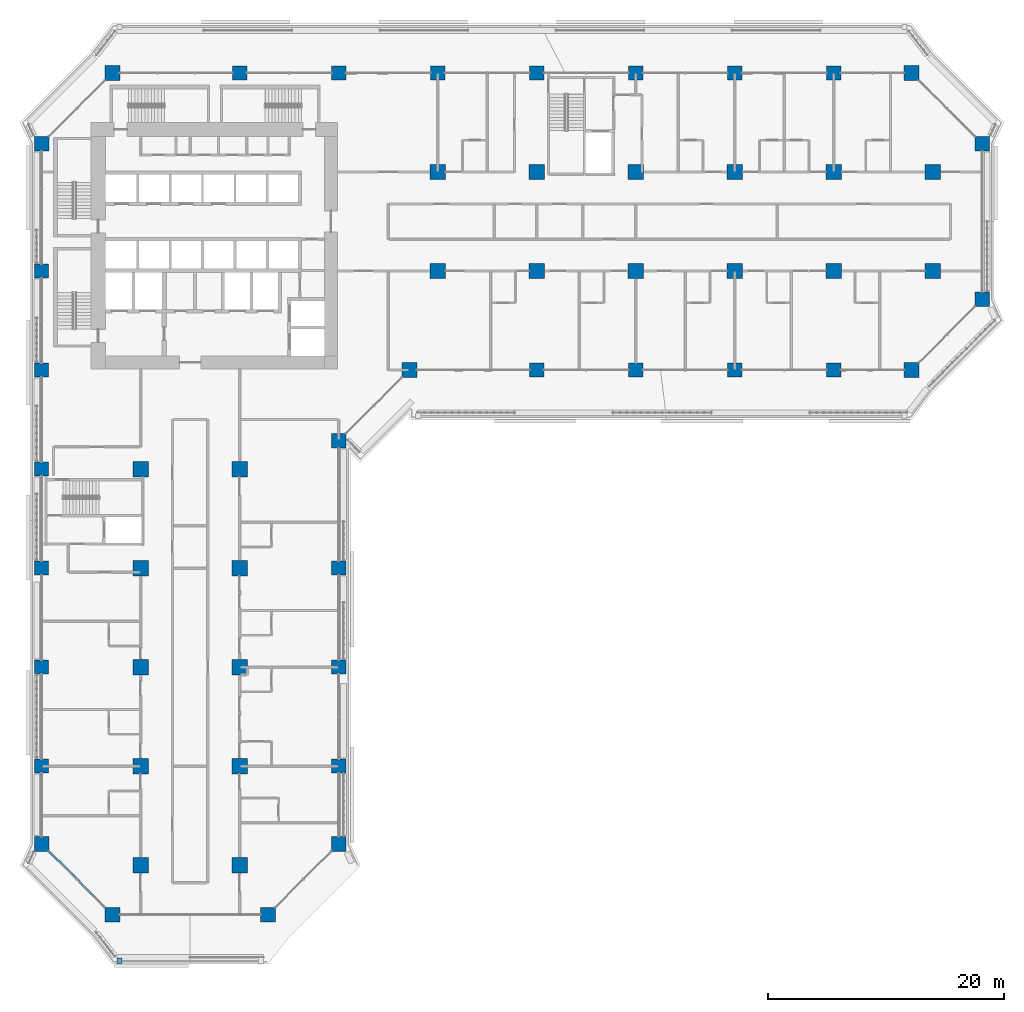
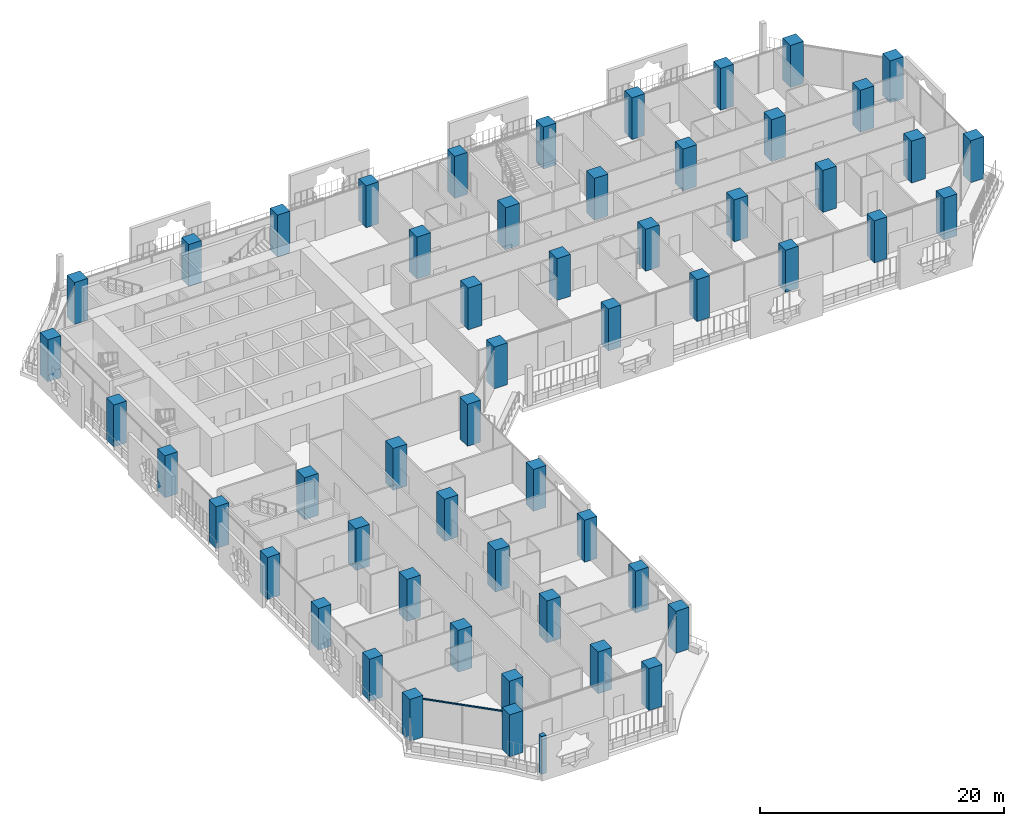
# One storey, part 1 of 28: 54 columns, 2 members, 2 elements without a shape of their own.
"""IFC4 building model written with IfcOpenShell, lengths in metres."""

from ifc_helpers import new_model, si_unit, direction, frame, origin, origin_2d, place, context, subcontext, project, spatial, rectangle, extrude, material, layer, layer_set, material_profile, profile_set, type_object, element, aggregate, save


model = new_model("IFC4")

# Units and contexts
model_context = context("Model", 3, precision=1e-05, world=origin(), true_north=direction((0.0, 1.0)))
body_context = subcontext(model_context, "Body", "Model", "MODEL_VIEW")
ifc_project = project(units=[si_unit("LENGTHUNIT", "METRE"), si_unit("AREAUNIT", "SQUARE_METRE"), si_unit("VOLUMEUNIT", "CUBIC_METRE"), si_unit("PLANEANGLEUNIT", "RADIAN"), si_unit("MASSUNIT", "GRAM", prefix="KILO")], contexts=[model_context])

# Site, building, storey
site_placement = place(None, origin())
site = spatial("IfcSite", under=ifc_project, at=site_placement, CompositionType="ELEMENT")
building_placement = place(site_placement, origin())
building = spatial("IfcBuilding", under=site, at=building_placement, Name="Kawkab Arch Medical Tower", CompositionType="ELEMENT")
storey_placement = place(building_placement, frame((0.0, 0.0, 68.60009765625)))
storey = spatial("IfcBuildingStorey", under=building, at=storey_placement, Name="L15", CompositionType="ELEMENT", Elevation=68.60009765625)

# Columns
ifc_material_1 = material(Name="Concrete C60/75", Category="concrete")
ifc_material_profile_1 = material_profile(ifc_material_1, rectangle(XDim=1.199951171875, YDim=1.199951171875, at=origin_2d()), Name="RC 1200x1200")
ifc_profile_set_1 = profile_set([ifc_material_profile_1], Name="Concrete C60/75")
column_type_1 = type_object("IfcColumnType", Name="RC 1200x1200 column C60/75", PredefinedType="COLUMN", material=ifc_profile_set_1)
for number, where, z_axis, x_axis, name in (
    (1, (16.800048828125, 0.0, 0.0), (0.0, 0.0, 1.0), (1.0, 0.0, 0.0), "Column RC 1200x1200"),
    (2, (25.199951171875, 0.0, 0.0), (0.0, 0.0, 1.0), (1.0, 0.0, 0.0), "Column RC 1200x1200"),
    (3, (33.60009765625, 0.0, 0.0), (0.0, 0.0, 1.0), (1.0, 0.0, 0.0), "Column RC 1200x1200"),
    (4, (42.0, 0.0, 0.0), (0.0, 0.0, 1.0), (1.0, 0.0, 0.0), "Column RC 1200x1200"),
    (5, (50.39990234375, 0.0, 0.0), (0.0, 0.0, 1.0), (1.0, 0.0, 0.0), "Column RC 1200x1200"),
    (6, (58.800048828125, 0.0, 0.0), (0.0, 0.0, 1.0), (1.0, 0.0, 0.0), "Column RC 1200x1200"),
    (7, (67.199951171875, 0.0, 0.0), (0.0, 0.0, 1.0), (1.0, 0.0, 0.0), "Column RC 1200x1200"),
    (8, (0.0, -16.800048828125, 0.0), (0.0, 0.0, 1.0), (1.0, 0.0, 0.0), "Column RC 1200x1200"),
    (9, (0.0, -25.199951171875, 0.0), (0.0, 0.0, 1.0), (1.0, 0.0, 0.0), "Column RC 1200x1200"),
    (10, (42.0, -25.199951171875, 0.0), (0.0, 0.0, 1.0), (1.0, 0.0, 0.0), "Column RC 1200x1200"),
    (11, (50.39990234375, -25.199951171875, 0.0), (0.0, 0.0, 1.0), (1.0, 0.0, 0.0), "Column RC 1200x1200"),
    (12, (58.800048828125, -25.199951171875, 0.0), (0.0, 0.0, 1.0), (1.0, 0.0, 0.0), "Column RC 1200x1200"),
    (13, (67.199951171875, -25.199951171875, 0.0), (0.0, 0.0, 1.0), (1.0, 0.0, 0.0), "Column RC 1200x1200"),
    (14, (0.0, -33.60009765625, 0.0), (0.0, 0.0, 1.0), (1.0, 0.0, 0.0), "Column RC 1200x1200"),
    (15, (0.0, -42.0, 0.0), (0.0, 0.0, 1.0), (1.0, 0.0, 0.0), "Column RC 1200x1200"),
    (16, (25.199951171875, -42.0, 0.0), (0.0, 0.0, 1.0), (1.0, 0.0, 0.0), "Column RC 1200x1200"),
    (17, (0.0, -50.39990234375, 0.0), (0.0, 0.0, 1.0), (1.0, 0.0, 0.0), "Column RC 1200x1200"),
    (18, (25.199951171875, -50.39990234375, 0.0), (0.0, 0.0, 1.0), (1.0, 0.0, 0.0), "Column RC 1200x1200"),
    (19, (0.0, -58.800048828125, 0.0), (0.0, 0.0, 1.0), (1.0, 0.0, 0.0), "Column RC 1200x1200"),
    (20, (25.199951171875, -58.800048828125, 0.0), (0.0, 0.0, 1.0), (1.0, 0.0, 0.0), "Column RC 1200x1200"),
):
    element("IfcColumn", number, at=place(storey_placement, frame(where, z_axis=z_axis, x_axis=x_axis)), inside=storey, type_object=column_type_1, Name=name, PredefinedType="COLUMN", context=body_context, shape_type="SweptSolid", body=[
        extrude(rectangle(XDim=1.199951171875, YDim=1.199951171875, at=origin_2d()), origin(), (0.0, 0.0, 1.0), 4.199951171875),
    ])
ifc_material_2 = material(Name="Concrete C60/75", Category="concrete")
ifc_material_profile_2 = material_profile(ifc_material_2, rectangle(XDim=1.25, YDim=1.25, at=origin_2d()), Name="RC 1250x1250")
ifc_profile_set_2 = profile_set([ifc_material_profile_2], Name="Concrete C60/75")
column_type_2 = type_object("IfcColumnType", Name="RC 1250x1250 column C60/75", PredefinedType="COLUMN", material=ifc_profile_set_2)
for number, where, z_axis, x_axis, name in (
    (21, (6.0, 0.0, 0.0), (0.0, 0.0, 1.0), (1.0, 0.0, 0.0), "Column RC 1250x1250"),
    (22, (73.800048828125, 0.0, 0.0), (0.0, 0.0, 1.0), (1.0, 0.0, 0.0), "Column RC 1250x1250"),
    (23, (0.0, -6.0, 0.0), (0.0, 0.0, 1.0), (1.0, 0.0, 0.0), "Column RC 1250x1250"),
    (24, (79.800048828125, -6.0, 0.0), (0.0, 0.0, 1.0), (1.0, 0.0, 0.0), "Column RC 1250x1250"),
    (25, (79.800048828125, -19.199951171875, 0.0), (0.0, 0.0, 1.0), (1.0, 0.0, 0.0), "Column RC 1250x1250"),
    (26, (31.199951171875, -25.199951171875, 0.0), (0.0, 0.0, 1.0), (1.0, 0.0, 0.0), "Column RC 1250x1250"),
    (27, (73.800048828125, -25.199951171875, 0.0), (0.0, 0.0, 1.0), (1.0, 0.0, 0.0), "Column RC 1250x1250"),
    (28, (25.199951171875, -31.199951171875, 0.0), (0.0, 0.0, 1.0), (1.0, 0.0, 0.0), "Column RC 1250x1250"),
    (29, (0.0, -65.39990234375, 0.0), (0.0, 0.0, 1.0), (1.0, 0.0, 0.0), "Column RC 1250x1250"),
    (30, (25.199951171875, -65.39990234375, 0.0), (0.0, 0.0, 1.0), (1.0, 0.0, 0.0), "Column RC 1250x1250"),
    (31, (6.0, -71.39990234375, 0.0), (0.0, 0.0, 1.0), (1.0, 0.0, 0.0), "Column RC 1250x1250"),
    (32, (19.199951171875, -71.39990234375, 0.0), (0.0, 0.0, 1.0), (1.0, 0.0, 0.0), "Column RC 1250x1250"),
):
    element("IfcColumn", number, at=place(storey_placement, frame(where, z_axis=z_axis, x_axis=x_axis)), inside=storey, type_object=column_type_2, Name=name, PredefinedType="COLUMN", context=body_context, shape_type="SweptSolid", body=[
        extrude(rectangle(XDim=1.25, YDim=1.25, at=origin_2d()), origin(), (0.0, 0.0, 1.0), 4.199951171875),
    ])
ifc_material_3 = material(Name="Concrete C60/75", Category="concrete")
ifc_material_profile_3 = material_profile(ifc_material_3, rectangle(XDim=1.300048828125, YDim=1.300048828125, at=origin_2d()), Name="RC 1300x1300")
ifc_profile_set_3 = profile_set([ifc_material_profile_3], Name="Concrete C60/75")
column_type_3 = type_object("IfcColumnType", Name="RC 1300x1300 column C60/75", PredefinedType="COLUMN", material=ifc_profile_set_3)
for number, where, z_axis, x_axis, name in (
    (33, (33.60009765625, -8.39990234375, 0.0), (0.0, 0.0, 1.0), (1.0, 0.0, 0.0), "Column RC 1300x1300"),
    (34, (42.0, -8.39990234375, 0.0), (0.0, 0.0, 1.0), (1.0, 0.0, 0.0), "Column RC 1300x1300"),
    (35, (50.39990234375, -8.39990234375, 0.0), (0.0, 0.0, 1.0), (1.0, 0.0, 0.0), "Column RC 1300x1300"),
    (36, (58.800048828125, -8.39990234375, 0.0), (0.0, 0.0, 1.0), (1.0, 0.0, 0.0), "Column RC 1300x1300"),
    (37, (67.199951171875, -8.39990234375, 0.0), (0.0, 0.0, 1.0), (1.0, 0.0, 0.0), "Column RC 1300x1300"),
    (38, (75.60009765625, -8.39990234375, 0.0), (0.0, 0.0, 1.0), (1.0, 0.0, 0.0), "Column RC 1300x1300"),
    (39, (33.60009765625, -16.800048828125, 0.0), (0.0, 0.0, 1.0), (1.0, 0.0, 0.0), "Column RC 1300x1300"),
    (40, (42.0, -16.800048828125, 0.0), (0.0, 0.0, 1.0), (1.0, 0.0, 0.0), "Column RC 1300x1300"),
    (41, (50.39990234375, -16.800048828125, 0.0), (0.0, 0.0, 1.0), (1.0, 0.0, 0.0), "Column RC 1300x1300"),
    (42, (58.800048828125, -16.800048828125, 0.0), (0.0, 0.0, 1.0), (1.0, 0.0, 0.0), "Column RC 1300x1300"),
    (43, (67.199951171875, -16.800048828125, 0.0), (0.0, 0.0, 1.0), (1.0, 0.0, 0.0), "Column RC 1300x1300"),
    (44, (75.60009765625, -16.800048828125, 0.0), (0.0, 0.0, 1.0), (1.0, 0.0, 0.0), "Column RC 1300x1300"),
    (45, (8.39990234375, -33.60009765625, 0.0), (0.0, 0.0, 1.0), (1.0, 0.0, 0.0), "Column RC 1300x1300"),
    (46, (16.800048828125, -33.60009765625, 0.0), (0.0, 0.0, 1.0), (1.0, 0.0, 0.0), "Column RC 1300x1300"),
    (47, (8.39990234375, -42.0, 0.0), (0.0, 0.0, 1.0), (1.0, 0.0, 0.0), "Column RC 1300x1300"),
    (48, (16.800048828125, -42.0, 0.0), (0.0, 0.0, 1.0), (1.0, 0.0, 0.0), "Column RC 1300x1300"),
    (49, (8.39990234375, -50.39990234375, 0.0), (0.0, 0.0, 1.0), (1.0, 0.0, 0.0), "Column RC 1300x1300"),
    (50, (16.800048828125, -50.39990234375, 0.0), (0.0, 0.0, 1.0), (1.0, 0.0, 0.0), "Column RC 1300x1300"),
    (51, (8.39990234375, -58.800048828125, 0.0), (0.0, 0.0, 1.0), (1.0, 0.0, 0.0), "Column RC 1300x1300"),
    (52, (16.800048828125, -58.800048828125, 0.0), (0.0, 0.0, 1.0), (1.0, 0.0, 0.0), "Column RC 1300x1300"),
    (53, (8.39990234375, -67.199951171875, 0.0), (0.0, 0.0, 1.0), (1.0, 0.0, 0.0), "Column RC 1300x1300"),
    (54, (16.800048828125, -67.199951171875, 0.0), (0.0, 0.0, 1.0), (1.0, 0.0, 0.0), "Column RC 1300x1300"),
):
    element("IfcColumn", number, at=place(storey_placement, frame(where, z_axis=z_axis, x_axis=x_axis)), inside=storey, type_object=column_type_3, Name=name, PredefinedType="COLUMN", context=body_context, shape_type="SweptSolid", body=[
        extrude(rectangle(XDim=1.300048828125, YDim=1.300048828125, at=origin_2d()), origin(), (0.0, 0.0, 1.0), 4.199951171875),
    ])

# Curtain wall, member
ifc_material_4 = material(Name="Bronze anodised aluminium curtain wall frame", Category="aluminium")
ifc_layer_1 = layer(ifc_material_4, 0.159912109375)
ifc_layer_set_1 = layer_set([ifc_layer_1], Name="Bronze anodised aluminium curtain wall frame")
curtain_wall_type_1 = type_object("IfcCurtainWallType", Name="CW2 chamfer curtain wall", PredefinedType="NOTDEFINED", material=ifc_layer_set_1)
placement = place(storey_placement, origin())
curtain_wall_1 = element("IfcCurtainWall", 55, at=placement, inside=storey, type_object=curtain_wall_type_1, Name="CW2 Chamfer curtain wall R02", PredefinedType="NOTDEFINED")
ifc_material_5 = material(Name="Bronze anodised aluminium curtain wall frame", Category="aluminium")
ifc_material_profile_4 = material_profile(ifc_material_5, rectangle(XDim=0.06005859375, YDim=0.139892578125, at=origin_2d()), Name="AL 60x140")
ifc_profile_set_4 = profile_set([ifc_material_profile_4], Name="Bronze anodised aluminium curtain wall frame")
member_type_1 = type_object("IfcMemberType", Name="CW2 transom 140 x 60", PredefinedType="USERDEFINED", material=ifc_profile_set_4)
member_1_placement = place(storey_placement, frame((0.625, -66.02490234375, 3.829833984375), z_axis=(0.707106781187, -0.707106781187, 0.0), x_axis=(0.707106781187, 0.707106781187, 0.0)))
member_1 = element("IfcMember", 56, at=member_1_placement, type_object=member_type_1, Name="CW2 transom 1", ObjectType="TRANSOM", PredefinedType="USERDEFINED", context=body_context, shape_type="SweptSolid", body=[
    extrude(rectangle(XDim=0.06005859375, YDim=0.139892578125, at=origin_2d()), origin(), (0.0, 0.0, 1.0), 6.717529296875),
])
aggregate(curtain_wall_1, [member_1])

ifc_material_6 = material(Name="Bronze anodised aluminium climber frame, planted", Category="aluminium")
ifc_layer_2 = layer(ifc_material_6, 0.449951171875)
ifc_layer_set_2 = layer_set([ifc_layer_2], Name="Bronze anodised aluminium climber frame, planted")
curtain_wall_type_2 = type_object("IfcCurtainWallType", Name="Planted climber frame", PredefinedType="NOTDEFINED", material=ifc_layer_set_2)
curtain_wall_2 = element("IfcCurtainWall", 57, at=placement, inside=storey, type_object=curtain_wall_type_2, Name="Planted climber frame L15", PredefinedType="NOTDEFINED")
ifc_material_7 = material(Name="Bronze anodised aluminium climber frame, planted", Category="aluminium")
ifc_material_profile_5 = material_profile(ifc_material_7, rectangle(XDim=0.449951171875, YDim=0.449951171875, at=origin_2d()), Name="Post 450x450")
ifc_profile_set_5 = profile_set([ifc_material_profile_5], Name="Bronze anodised aluminium climber frame, planted")
member_type_2 = type_object("IfcMemberType", Name="Planted climber post 450 x 450", PredefinedType="MULLION", material=ifc_profile_set_5)
member_2_placement = place(storey_placement, frame((6.596923828125, -75.300048828125, 0.0), z_axis=(0.0, 0.0, 1.0), x_axis=(1.0, 0.0, 0.0)))
member_2 = element("IfcMember", 58, at=member_2_placement, type_object=member_type_2, Name="Planted climber post L15.LOG-01-01.2", PredefinedType="MULLION", context=body_context, shape_type="SweptSolid", body=[
    extrude(rectangle(XDim=0.449951171875, YDim=0.449951171875, at=origin_2d()), origin(), (0.0, 0.0, 1.0), 3.7998046875),
])
aggregate(curtain_wall_2, [member_2])

save(model, "model.ifc")
